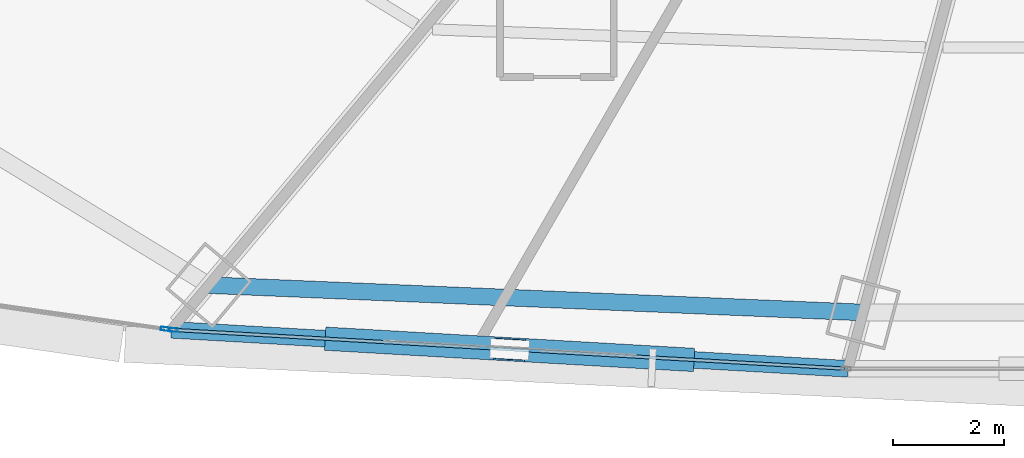
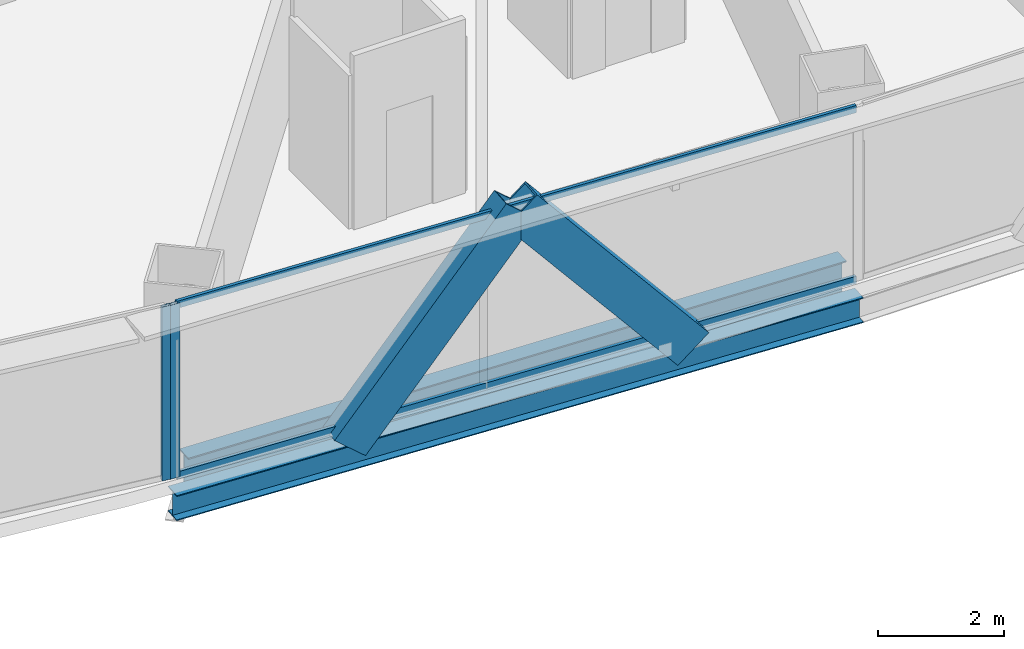
# One storey, part 6 of 40: 6 members, 2 beams, 2 elements without a shape of their own.
"""IFC4 building model written with IfcOpenShell, lengths in metres."""

from ifc_helpers import new_model, si_unit, direction, frame, origin, origin_2d, place, context, subcontext, project, spatial, hollow_rectangle, i_section, extrude, source, transform, mapped, material, layer, layer_set, material_profile, profile_set, type_object, element, aggregate, save


model = new_model("IFC4")

# Units and contexts
model_context = context("Model", 3, precision=1e-05, world=origin(), true_north=direction((0.0, 1.0)))
body_context = subcontext(model_context, "Body", "Model", "MODEL_VIEW")
ifc_project = project(units=[si_unit("LENGTHUNIT", "METRE"), si_unit("AREAUNIT", "SQUARE_METRE"), si_unit("VOLUMEUNIT", "CUBIC_METRE"), si_unit("PLANEANGLEUNIT", "RADIAN"), si_unit("MASSUNIT", "GRAM", prefix="KILO"), si_unit("THERMODYNAMICTEMPERATUREUNIT", "KELVIN"), si_unit("POWERUNIT", "WATT")], contexts=[model_context])

# Site, building, storey
site_placement = place(None, origin())
site = spatial("IfcSite", under=ifc_project, at=site_placement, CompositionType="ELEMENT")
building_placement = place(site_placement, origin())
building = spatial("IfcBuilding", under=site, at=building_placement, Name="Yunzhuo Pagoda Commons", CompositionType="ELEMENT")
storey_placement = place(building_placement, frame((0.0, 0.0, 66.699951171875)))
storey = spatial("IfcBuildingStorey", under=building, at=storey_placement, Name="L17", CompositionType="ELEMENT", Elevation=66.699951171875)

# Beams
ifc_material_1 = material(Name="Structural steel Q355B", Category="steel")
ifc_material_profile_1 = material_profile(ifc_material_1, i_section(OverallWidth=0.300048828125, OverallDepth=0.699951171875, WebThickness=0.012939453125, FlangeThickness=0.02392578125, at=origin_2d()), Name="Structural steel Q355B")
ifc_profile_set_1 = profile_set([ifc_material_profile_1], Name="Structural steel Q355B")
beam_type_1 = type_object("IfcBeamType", Name="B-RG1 Beam HN 700x300x13x24", PredefinedType="BEAM", material=ifc_profile_set_1)
shared_shape_1 = source(origin(), body_context, "Body", "SweptSolid", [
    extrude(i_section(OverallWidth=0.300048828125, OverallDepth=0.699951171875, WebThickness=0.012939453125, FlangeThickness=0.02392578125, at=origin_2d()), origin(), (0.0, 0.0, 1.0), 11.7900390625),
])
beam_1_placement = place(storey_placement, frame((30.5, 12.844482421875, -0.60986328125), z_axis=(0.99912739354, -0.041766631146, 0.0), x_axis=(0.041766631146, 0.99912739354, 0.0)))
element("IfcBeam", 1, at=beam_1_placement, inside=storey, type_object=beam_type_1, Name="L17 column-ring beam 1", PredefinedType="BEAM", context=body_context, shape_type="MappedRepresentation", body=[
    mapped(shared_shape_1, transform((0.0, 0.0, 0.0), scale=1.0)),
])
ifc_material_profile_2 = material_profile(ifc_material_1, i_section(OverallWidth=0.300048828125, OverallDepth=0.488037109375, WebThickness=0.010986328125, FlangeThickness=0.01806640625, at=origin_2d()), Name="Structural steel Q355B")
ifc_profile_set_2 = profile_set([ifc_material_profile_2], Name="Structural steel Q355B")
beam_type_2 = type_object("IfcBeamType", Name="B-SP1 Beam HM 488x300x11x18", PredefinedType="BEAM", material=ifc_profile_set_2)
shared_shape_2 = source(origin(), body_context, "Body", "SweptSolid", [
    extrude(i_section(OverallWidth=0.300048828125, OverallDepth=0.488037109375, WebThickness=0.010986328125, FlangeThickness=0.01806640625, at=origin_2d()), origin(), (0.0, 0.0, 1.0), 12.203125),
])
beam_2_placement = place(storey_placement, frame((29.8251953125, 12.0400390625, -0.50390625), z_axis=(0.998343280555, -0.057538631989, 0.0), x_axis=(0.057538631989, 0.998343280555, 0.0)))
element("IfcBeam", 2, at=beam_2_placement, inside=storey, type_object=beam_type_2, Name="L17 facade edge spandrel beam F1.1", PredefinedType="BEAM", context=body_context, shape_type="MappedRepresentation", body=[
    mapped(shared_shape_2, transform((0.0, 0.0, 0.0), scale=1.0)),
])

# Members
ifc_material_2 = material(Name="Structural steel Q420B", Category="steel")
ifc_material_profile_3 = material_profile(ifc_material_2, hollow_rectangle(XDim=0.419921875, YDim=0.719970703125, WallThickness=0.028076171875, at=origin_2d()), Name="Structural steel Q420B")
ifc_profile_set_3 = profile_set([ifc_material_profile_3], Name="Structural steel Q420B")
member_type_1 = type_object("IfcMemberType", Name="M-DL1 Brace BOX 720x420x28", PredefinedType="BRACE", material=ifc_profile_set_3)
shared_shape_3 = source(origin(), body_context, "Body", "SweptSolid", [
    extrude(hollow_rectangle(XDim=0.419921875, YDim=0.719970703125, WallThickness=0.028076171875, at=origin_2d()), origin(), (0.0, 0.0, 1.0), 4.74169921875),
])
member_1_placement = place(storey_placement, frame((32.870849609375, 11.864501953125, -0.260009765625), z_axis=(0.642299506197, -0.037019105808, 0.765559227065), x_axis=(0.05753978125, 0.998343214317, 0.0)))
element("IfcMember", 3, at=member_1_placement, inside=storey, type_object=member_type_1, Name="L17 facade diamond brace F1.1L", PredefinedType="BRACE", context=body_context, shape_type="MappedRepresentation", body=[
    mapped(shared_shape_3, transform((0.0, 0.0, 0.0), scale=1.0)),
])
shared_shape_4 = source(origin(), body_context, "Body", "SweptSolid", [
    extrude(hollow_rectangle(XDim=0.419921875, YDim=0.719970703125, WallThickness=0.028076171875, at=origin_2d()), origin(), (0.0, 0.0, 1.0), 4.741943359375),
])
member_2_placement = place(storey_placement, frame((38.96240234375, 11.51318359375, -0.260009765625), z_axis=(-0.642328525718, 0.03706929613, 0.765532450216), x_axis=(-0.057614940154, -0.998338879675, 0.0)))
element("IfcMember", 4, at=member_2_placement, inside=storey, type_object=member_type_1, Name="L17 facade diamond brace F1.1R", PredefinedType="BRACE", context=body_context, shape_type="MappedRepresentation", body=[
    mapped(shared_shape_4, transform((0.0, 0.0, 0.0), scale=1.0)),
])

# Curtain wall, member
ifc_material_3 = material(Name="Anodized aluminium 6063-T6", Category="aluminium")
ifc_layer = layer(ifc_material_3, 0.1650390625)
ifc_layer_set = layer_set([ifc_layer], Name="Anodized aluminium 6063-T6")
curtain_wall_type = type_object("IfcCurtainWallType", Name="CW-LOW Low-Zone Ribbon Curtain Wall", PredefinedType="NOTDEFINED", material=ifc_layer_set)
curtain_wall_1_placement = place(storey_placement, origin())
curtain_wall_1 = element("IfcCurtainWall", 5, at=curtain_wall_1_placement, inside=storey, type_object=curtain_wall_type, Name="L17 curtain wall CW-L17-F1B2", PredefinedType="NOTDEFINED")
ifc_material_profile_4 = material_profile(ifc_material_3, hollow_rectangle(XDim=0.06494140625, YDim=0.1650390625, WallThickness=0.00390625, at=origin_2d()), Name="Anodized aluminium 6063-T6")
ifc_profile_set_4 = profile_set([ifc_material_profile_4], Name="Anodized aluminium 6063-T6")
member_type_2 = type_object("IfcMemberType", Name="CW-LOW-M Mullion RHS 165x65x4", PredefinedType="MULLION", material=ifc_profile_set_4)
shared_shape_5 = source(origin(), body_context, "Body", "SweptSolid", [
    extrude(hollow_rectangle(XDim=0.06494140625, YDim=0.1650390625, WallThickness=0.00390625, at=origin_2d()), origin(), (0.0, 0.0, 1.0), 3.3701171875),
])
member_3_placement = place(storey_placement, frame((29.857666015625, 12.0380859375, 0.0), z_axis=(0.0, 0.0, 1.0), x_axis=(0.057542190557, 0.998343075454, 0.0)))
member_3 = element("IfcMember", 6, at=member_3_placement, type_object=member_type_2, Name="CW mullion 1", PredefinedType="MULLION", context=body_context, shape_type="MappedRepresentation", body=[
    mapped(shared_shape_5, transform((0.0, 0.0, 0.0), scale=1.0)),
])

curtain_wall_2_placement = place(storey_placement, origin())
curtain_wall_2 = element("IfcCurtainWall", 7, at=curtain_wall_2_placement, inside=storey, type_object=curtain_wall_type, Name="L17 curtain wall CW-L17-F1B1", PredefinedType="NOTDEFINED")
member_4_placement = place(storey_placement, frame((29.71875, 12.05517578125, 0.0), z_axis=(0.0, 0.0, 1.0), x_axis=(0.141139872999, 0.989989664719, 0.0)))
member_4 = element("IfcMember", 8, at=member_4_placement, type_object=member_type_2, Name="CW mullion 2", PredefinedType="MULLION", context=body_context, shape_type="MappedRepresentation", body=[
    mapped(shared_shape_5, transform((0.0, 0.0, 0.0), scale=1.0)),
])
aggregate(curtain_wall_2, [member_4])

# Member
ifc_material_profile_5 = material_profile(ifc_material_3, hollow_rectangle(XDim=0.06005859375, YDim=0.139892578125, WallThickness=0.00341796875, at=origin_2d()), Name="Anodized aluminium 6063-T6")
ifc_profile_set_5 = profile_set([ifc_material_profile_5], Name="Anodized aluminium 6063-T6")
member_type_3 = type_object("IfcMemberType", Name="CW-LOW-T Transom RHS 140x60x3.5", PredefinedType="USERDEFINED", material=ifc_profile_set_5)
shared_shape_6 = source(origin(), body_context, "Body", "SweptSolid", [
    extrude(hollow_rectangle(XDim=0.06005859375, YDim=0.139892578125, WallThickness=0.00341796875, at=origin_2d()), origin(), (0.0, 0.0, 1.0), 12.0732421875),
])
member_5_placement = place(storey_placement, frame((29.889892578125, 12.036376953125, 0.0302734375), z_axis=(0.998342579206, -0.057550799684, 0.0), x_axis=(0.057550799684, 0.998342579206, 0.0)))
member_5 = element("IfcMember", 9, at=member_5_placement, type_object=member_type_3, Name="CW transom 1.1", ObjectType="TRANSOM", PredefinedType="USERDEFINED", context=body_context, shape_type="MappedRepresentation", body=[
    mapped(shared_shape_6, transform((0.0, 0.0, 0.0), scale=1.0)),
])

member_6_placement = place(storey_placement, frame((29.889892578125, 12.036376953125, 3.340087890625), z_axis=(0.998342579206, -0.057550799684, 0.0), x_axis=(0.057550799684, 0.998342579206, 0.0)))
member_6 = element("IfcMember", 10, at=member_6_placement, type_object=member_type_3, Name="CW transom 1.2", ObjectType="TRANSOM", PredefinedType="USERDEFINED", context=body_context, shape_type="MappedRepresentation", body=[
    mapped(shared_shape_6, transform((0.0, 0.0, 0.0), scale=1.0)),
])

aggregate(curtain_wall_1, [member_3, member_5, member_6])

save(model, "model.ifc")
